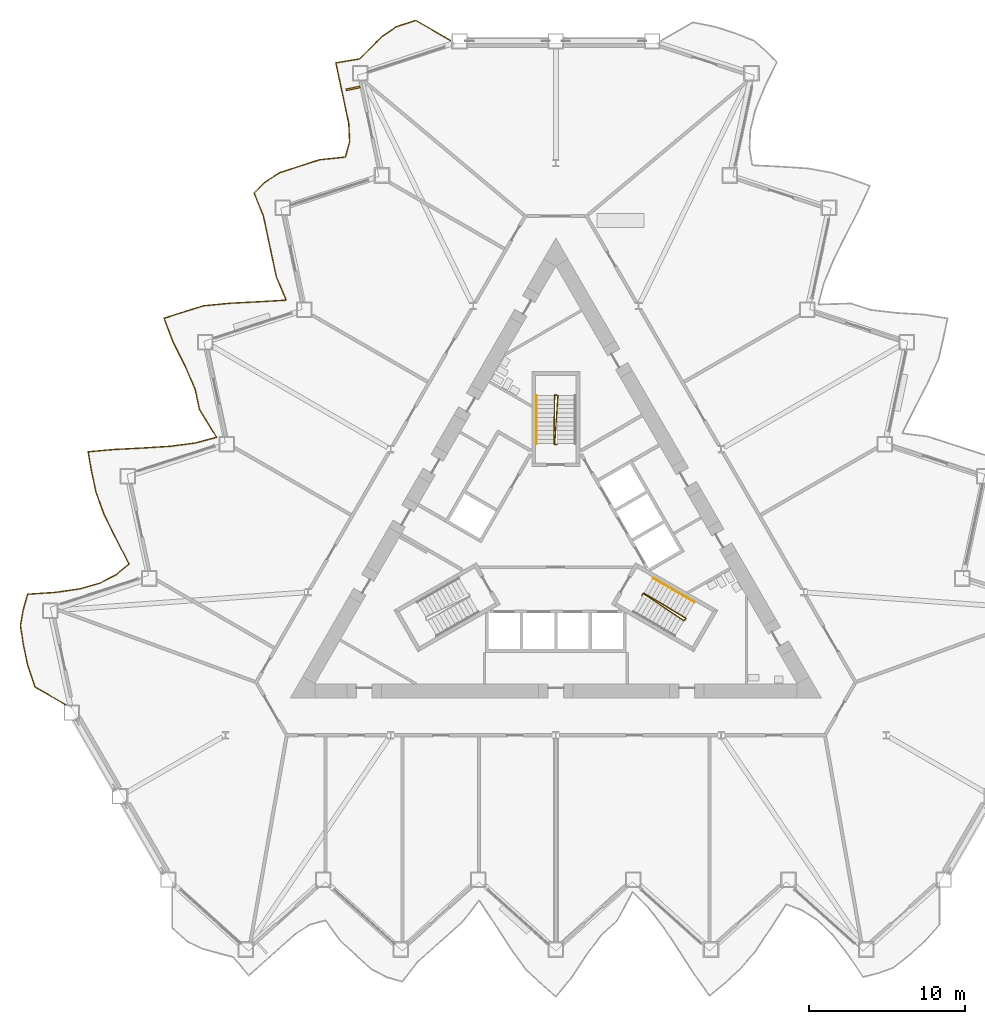
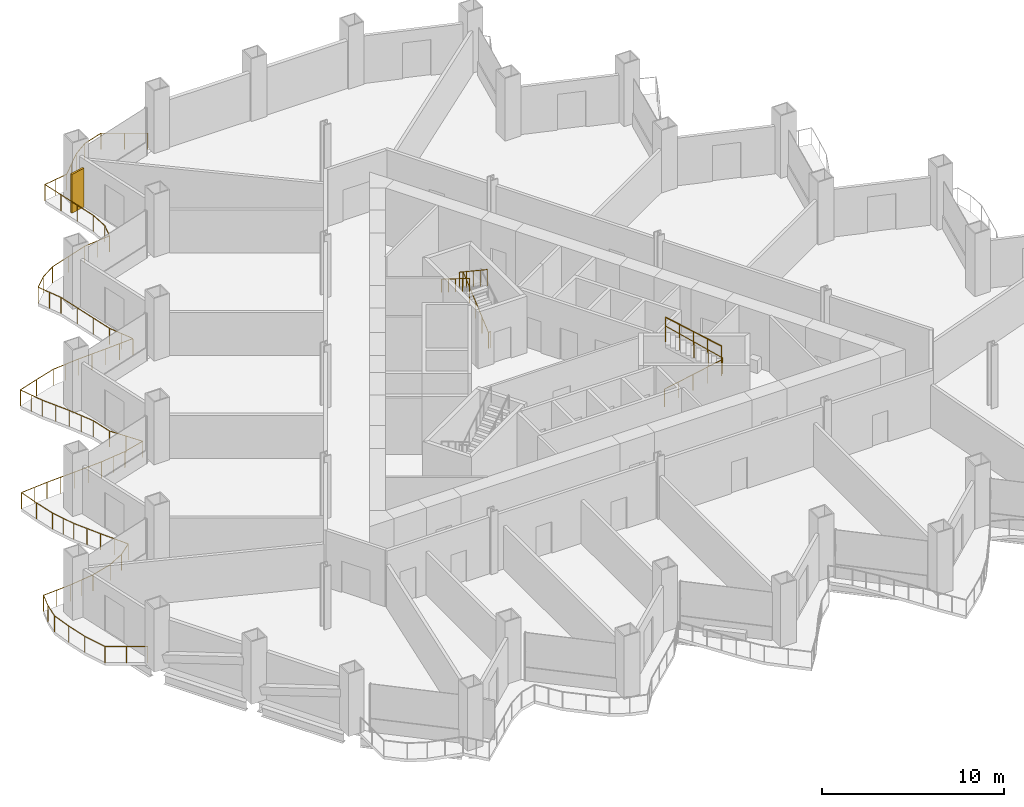
# One storey, part 18 of 21: 5 railings, 1 shading device.
"""IFC4 building model written with IfcOpenShell, lengths in metres."""

from ifc_helpers import new_model, si_unit, direction, frame, origin, origin_2d, place, context, subcontext, project, spatial, rectangle, circle, extrude, material, layer, layer_set, type_object, element, save


model = new_model("IFC4")

# Units and contexts
model_context = context("Model", 3, precision=1e-05, world=origin(), true_north=direction((0.0, 1.0)))
body_context = subcontext(model_context, "Body", "Model", "MODEL_VIEW")
ifc_project = project(units=[si_unit("LENGTHUNIT", "METRE"), si_unit("AREAUNIT", "SQUARE_METRE"), si_unit("VOLUMEUNIT", "CUBIC_METRE"), si_unit("PLANEANGLEUNIT", "RADIAN"), si_unit("MASSUNIT", "GRAM", prefix="KILO")], contexts=[model_context])

# Site, building, storey
site_placement = place(None, origin())
site = spatial("IfcSite", under=ifc_project, at=site_placement, CompositionType="ELEMENT")
building_placement = place(site_placement, origin())
building = spatial("IfcBuilding", under=site, at=building_placement, Name="Cormorant Prow Tower", CompositionType="ELEMENT")
storey_placement = place(building_placement, frame((0.0, 0.0, 67.800048828125)))
storey = spatial("IfcBuildingStorey", under=building, at=storey_placement, Name="L14", CompositionType="ELEMENT", Elevation=67.800048828125)

# Railings
ifc_material_1 = material(Name="Aluminium 6063-T6", Category="aluminium")
railing_type_1 = type_object("IfcRailingType", Name="Balcony guard 1100", PredefinedType="GUARDRAIL", material=ifc_material_1)
railing_1_placement = place(storey_placement, frame((-6.743896484375, 32.281982421875, 0.0)))
element("IfcRailing", 1, at=railing_1_placement, inside=storey, type_object=railing_type_1, Name="Balcony guard WNW", PredefinedType="GUARDRAIL", context=body_context, shape_type="SweptSolid", body=[
    extrude(circle(Radius=0.02392578125, at=origin_2d()), frame((0.0, 0.0, 1.076171875), z_axis=(-0.86598941085, 0.50006233641, 0.0), x_axis=(-0.50006233641, -0.86598941085, 0.0)), (0.0, 0.0, 1.0), 2.570068359375),
    extrude(circle(Radius=0.02392578125, at=origin_2d()), frame((-2.2255859375, 1.28515625, 1.076171875), z_axis=(-0.951072017002, -0.308969284034, 0.0), x_axis=(0.308969284034, -0.951072017002, 0.0)), (0.0, 0.0, 1.0), 1.323486328125),
    extrude(circle(Radius=0.02392578125, at=origin_2d()), frame((-3.484375, 0.876220703125, 1.076171875), z_axis=(-0.824035385261, -0.566538333952, 0.0), x_axis=(0.566538333952, -0.824035385261, 0.0)), (0.0, 0.0, 1.0), 1.08935546875),
    extrude(circle(Radius=0.02392578125, at=origin_2d()), frame((-4.382080078125, 0.259033203125, 1.076171875), z_axis=(-0.709260026546, -0.704946958817, 0.0), x_axis=(0.704946958817, -0.709260026546, 0.0)), (0.0, 0.0, 1.0), 1.018798828125),
    extrude(circle(Radius=0.02392578125, at=origin_2d()), frame((-5.104736328125, -0.459228515625, 1.076171875), z_axis=(-0.706746960996, -0.707466418371, 0.0), x_axis=(0.707466418371, -0.706746960996, 0.0)), (0.0, 0.0, 1.0), 1.01806640625),
    extrude(circle(Radius=0.02392578125, at=origin_2d()), frame((-5.82421875, -1.179443359375, 1.076171875), z_axis=(-0.986295604525, -0.16498781923, 0.0), x_axis=(0.16498781923, -0.986295604525, 0.0)), (0.0, 0.0, 1.0), 1.54638671875),
    extrude(circle(Radius=0.02392578125, at=origin_2d()), frame((-7.349365234375, -1.4345703125, 1.076171875), z_axis=(0.207916123024, -0.978146658629, 0.0), x_axis=(0.978146658629, 0.207916123024, 0.0)), (0.0, 0.0, 1.0), 1.3232421875),
    extrude(circle(Radius=0.02392578125, at=origin_2d()), frame((-7.07421875, -2.72900390625, 1.076171875), z_axis=(0.207953649087, -0.978138681288, 0.0), x_axis=(0.978138681288, 0.207953649087, 0.0)), (0.0, 0.0, 1.0), 1.322998046875),
    extrude(circle(Radius=0.02392578125, at=origin_2d()), frame((-6.799072265625, -4.023193359375, 1.076171875), z_axis=(0.207916123024, -0.978146658629, 0.0), x_axis=(0.978146658629, 0.207916123024, 0.0)), (0.0, 0.0, 1.0), 1.3232421875),
    extrude(circle(Radius=0.02392578125, at=origin_2d()), frame((-6.52392578125, -5.317626953125, 1.076171875), z_axis=(0.045995638535, -0.998941640556, 0.0), x_axis=(0.998941640556, 0.045995638535, 0.0)), (0.0, 0.0, 1.0), 1.167724609375),
    extrude(circle(Radius=0.02392578125, at=origin_2d()), frame((-6.47021484375, -6.484130859375, 1.076171875), z_axis=(-0.262589307442, -0.964907692796, 0.0), x_axis=(0.964907692796, -0.262589307442, 0.0)), (0.0, 0.0, 1.0), 1.01708984375),
    extrude(circle(Radius=0.02392578125, at=origin_2d()), frame((-6.7373046875, -7.465576171875, 1.076171875), z_axis=(-0.994527816492, -0.104472112178, 0.0), x_axis=(0.104472112178, -0.994527816492, 0.0)), (0.0, 0.0, 1.0), 1.67333984375),
    extrude(circle(Radius=0.02392578125, at=origin_2d()), frame((-8.4013671875, -7.640380859375, 1.076171875), z_axis=(-0.951054403512, -0.309023496777, 0.0), x_axis=(0.309023496777, -0.951054403512, 0.0)), (0.0, 0.0, 1.0), 1.3232421875),
    extrude(circle(Radius=0.02392578125, at=origin_2d()), frame((-9.659912109375, -8.04931640625, 1.076171875), z_axis=(-0.951054403512, -0.309023496777, 0.0), x_axis=(0.309023496777, -0.951054403512, 0.0)), (0.0, 0.0, 1.0), 1.3232421875),
    extrude(circle(Radius=0.02392578125, at=origin_2d()), frame((-10.91845703125, -8.458251953125, 1.076171875), z_axis=(-0.846452772035, -0.532463806014, 0.0), x_axis=(0.532463806014, -0.846452772035, 0.0)), (0.0, 0.0, 1.0), 1.11181640625),
    extrude(circle(Radius=0.02392578125, at=origin_2d()), frame((-11.859619140625, -9.05029296875, 1.076171875), z_axis=(-0.715187202401, -0.698932947801, 0.0), x_axis=(0.698932947801, -0.715187202401, 0.0)), (0.0, 0.0, 1.0), 1.021484375),
    extrude(circle(Radius=0.02392578125, at=origin_2d()), frame((-12.590087890625, -9.76416015625, 1.076171875), z_axis=(0.374839476918, -0.9270897295, 0.0), x_axis=(0.9270897295, 0.374839476918, 0.0)), (0.0, 0.0, 1.0), 1.59765625),
    extrude(circle(Radius=0.02392578125, at=origin_2d()), frame((-11.9912109375, -11.245361328125, 1.076171875), z_axis=(0.207916123024, -0.978146658629, 0.0), x_axis=(0.978146658629, 0.207916123024, 0.0)), (0.0, 0.0, 1.0), 1.3232421875),
    extrude(circle(Radius=0.02392578125, at=origin_2d()), frame((-11.716064453125, -12.539794921875, 1.076171875), z_axis=(0.207916123024, -0.978146658629, 0.0), x_axis=(0.978146658629, 0.207916123024, 0.0)), (0.0, 0.0, 1.0), 1.3232421875),
    extrude(circle(Radius=0.02392578125, at=origin_2d()), frame((-11.44091796875, -13.834228515625, 1.076171875), z_axis=(0.207916123024, -0.978146658629, 0.0), x_axis=(0.978146658629, 0.207916123024, 0.0)), (0.0, 0.0, 1.0), 1.3232421875),
    extrude(circle(Radius=0.02392578125, at=origin_2d()), frame((-11.165771484375, -15.128662109375, 1.076171875), z_axis=(0.386854438538, -0.922140793688, 0.0), x_axis=(0.922140793688, 0.386854438538, 0.0)), (0.0, 0.0, 1.0), 1.625),
    extrude(circle(Radius=0.02392578125, at=origin_2d()), frame((-10.537109375, -16.627197265625, 1.076171875), z_axis=(-0.998221644478, -0.059611647308, 0.0), x_axis=(0.059611647308, -0.998221644478, 0.0)), (0.0, 0.0, 1.0), 1.78564453125),
    extrude(circle(Radius=0.02392578125, at=origin_2d()), frame((-12.319580078125, -16.733642578125, 1.076171875), z_axis=(-0.998683055757, -0.051304523616, 0.0), x_axis=(0.051304523616, -0.998683055757, 0.0)), (0.0, 0.0, 1.0), 1.808349609375),
    extrude(circle(Radius=0.02392578125, at=origin_2d()), frame((-14.12548828125, -16.826416015625, 1.076171875), z_axis=(-0.995378066941, -0.096033868258, 0.0), x_axis=(0.096033868258, -0.995378066941, 0.0)), (0.0, 0.0, 1.0), 1.693115234375),
    extrude(circle(Radius=0.02392578125, at=origin_2d()), frame((-15.810791015625, -16.989013671875, 1.076171875), z_axis=(-0.955790803471, -0.294047513168, 0.0), x_axis=(0.294047513168, -0.955790803471, 0.0)), (0.0, 0.0, 1.0), 1.342529296875),
    extrude(circle(Radius=0.02392578125, at=origin_2d()), frame((-17.093994140625, -17.3837890625, 1.076171875), z_axis=(-0.951108613714, -0.308856608993, 0.0), x_axis=(0.308856608993, -0.951108613714, 0.0)), (0.0, 0.0, 1.0), 1.3232421875),
    extrude(circle(Radius=0.02392578125, at=origin_2d()), frame((-18.3525390625, -17.79248046875, 1.076171875), z_axis=(0.354100081093, -0.935207534492, 0.0), x_axis=(0.935207534492, 0.354100081093, 0.0)), (0.0, 0.0, 1.0), 1.553955078125),
    extrude(circle(Radius=0.02392578125, at=origin_2d()), frame((-17.80224609375, -19.245849609375, 1.076171875), z_axis=(0.446007023585, -0.89502946036, 0.0), x_axis=(0.89502946036, 0.446007023585, 0.0)), (0.0, 0.0, 1.0), 1.78125),
    extrude(circle(Radius=0.02392578125, at=origin_2d()), frame((-17.0078125, -20.840087890625, 1.076171875), z_axis=(0.395173075821, -0.91860668414, 0.0), x_axis=(0.91860668414, 0.395173075821, 0.0)), (0.0, 0.0, 1.0), 1.64453125),
    extrude(circle(Radius=0.02392578125, at=origin_2d()), frame((-16.35791015625, -22.350830078125, 1.076171875), z_axis=(0.207953649087, -0.978138681288, 0.0), x_axis=(0.978138681288, 0.207953649087, 0.0)), (0.0, 0.0, 1.0), 1.322998046875),
    extrude(circle(Radius=0.02392578125, at=origin_2d()), frame((-16.082763671875, -23.64501953125, 1.076171875), z_axis=(0.525527953778, -0.850776333591, 0.0), x_axis=(0.850776333591, 0.525527953778, 0.0)), (0.0, 0.0, 1.0), 2.07470703125),
    extrude(circle(Radius=0.02392578125, at=origin_2d()), frame((-14.992431640625, -25.41015625, 1.076171875), z_axis=(-0.964974933901, -0.262342099065, 0.0), x_axis=(0.262342099065, -0.964974933901, 0.0)), (0.0, 0.0, 1.0), 1.3857421875),
    extrude(circle(Radius=0.02392578125, at=origin_2d()), frame((-16.32958984375, -25.773681640625, 1.076171875), z_axis=(-0.991363444038, -0.131143134877, 0.0), x_axis=(0.131143134877, -0.991363444038, 0.0)), (0.0, 0.0, 1.0), 1.614013671875),
    extrude(circle(Radius=0.02392578125, at=origin_2d()), frame((-17.9296875, -25.9853515625, 1.076171875), z_axis=(-0.99801766977, -0.06293433743, 0.0), x_axis=(0.06293433743, -0.99801766977, 0.0)), (0.0, 0.0, 1.0), 1.776611328125),
    extrude(circle(Radius=0.02392578125, at=origin_2d()), frame((-19.702880859375, -26.09716796875, 1.076171875), z_axis=(-0.998750322432, -0.049977929542, 0.0), x_axis=(0.049977929542, -0.998750322432, 0.0)), (0.0, 0.0, 1.0), 1.812255859375),
    extrude(circle(Radius=0.02392578125, at=origin_2d()), frame((-21.512939453125, -26.187744140625, 1.076171875), z_axis=(-0.995964353039, -0.089749693458, 0.0), x_axis=(0.089749693458, -0.995964353039, 0.0)), (0.0, 0.0, 1.0), 1.708251953125),
    extrude(circle(Radius=0.02392578125, at=origin_2d()), frame((-23.21435546875, -26.341064453125, 1.076171875), z_axis=(0.1716547306, -0.985157171959, 0.0), x_axis=(0.985157171959, 0.1716547306, 0.0)), (0.0, 0.0, 1.0), 1.281494140625),
    extrude(circle(Radius=0.02392578125, at=origin_2d()), frame((-22.994384765625, -27.603515625, 1.076171875), z_axis=(0.207916123024, -0.978146658629, 0.0), x_axis=(0.978146658629, 0.207916123024, 0.0)), (0.0, 0.0, 1.0), 1.3232421875),
    extrude(circle(Radius=0.02392578125, at=origin_2d()), frame((-22.71923828125, -28.89794921875, 1.076171875), z_axis=(0.335704546621, -0.941967333498, 0.0), x_axis=(0.941967333498, 0.335704546621, 0.0)), (0.0, 0.0, 1.0), 1.517822265625),
    extrude(circle(Radius=0.02392578125, at=origin_2d()), frame((-22.209716796875, -30.32763671875, 1.076171875), z_axis=(0.442798094343, -0.896621351322, 0.0), x_axis=(0.896621351322, 0.442798094343, 0.0)), (0.0, 0.0, 1.0), 1.771484375),
    extrude(circle(Radius=0.02392578125, at=origin_2d()), frame((-21.42529296875, -31.916015625, 1.076171875), z_axis=(0.456557099974, -0.889694112863, 0.0), x_axis=(0.889694112863, 0.456557099974, 0.0)), (0.0, 0.0, 1.0), 1.81396484375),
    extrude(circle(Radius=0.02392578125, at=origin_2d()), frame((-20.59716796875, -33.52978515625, 1.076171875), z_axis=(-0.770011758677, -0.638029694841, 0.0), x_axis=(0.638029694841, -0.770011758677, 0.0)), (0.0, 0.0, 1.0), 1.048828125),
    extrude(circle(Radius=0.02392578125, at=origin_2d()), frame((-21.40478515625, -34.198974609375, 1.076171875), z_axis=(-0.884954654148, -0.465677205908, 0.0), x_axis=(0.465677205908, -0.884954654148, 0.0)), (0.0, 0.0, 1.0), 1.162841796875),
    extrude(circle(Radius=0.02392578125, at=origin_2d()), frame((-22.433837890625, -34.740478515625, 1.076171875), z_axis=(-0.960777764863, -0.277319466581, 0.0), x_axis=(0.277319466581, -0.960777764863, 0.0)), (0.0, 0.0, 1.0), 1.364501953125),
    extrude(circle(Radius=0.02392578125, at=origin_2d()), frame((-23.744873046875, -35.118896484375, 1.076171875), z_axis=(-0.99009593478, -0.140392449697, 0.0), x_axis=(0.140392449697, -0.99009593478, 0.0)), (0.0, 0.0, 1.0), 1.5947265625),
    extrude(circle(Radius=0.02392578125, at=origin_2d()), frame((-25.32373046875, -35.3427734375, 1.076171875), z_axis=(-0.997760012921, -0.066895116533, 0.0), x_axis=(0.066895116533, -0.997760012921, 0.0)), (0.0, 0.0, 1.0), 1.766357421875),
    extrude(circle(Radius=0.02392578125, at=origin_2d()), frame((-27.086181640625, -35.4609375, 1.076171875), z_axis=(-0.275548143323, -0.961287272729, 0.0), x_axis=(0.961287272729, -0.275548143323, 0.0)), (0.0, 0.0, 1.0), 1.013671875),
    extrude(circle(Radius=0.02392578125, at=origin_2d()), frame((-27.365478515625, -36.435302734375, 1.076171875), z_axis=(-0.175289754065, -0.984516887676, 0.0), x_axis=(0.984516887676, -0.175289754065, 0.0)), (0.0, 0.0, 1.0), 1.0458984375),
    extrude(circle(Radius=0.02392578125, at=origin_2d()), frame((-27.548828125, -37.465087890625, 1.076171875), z_axis=(0.14927059664, -0.988796383983, 0.0), x_axis=(0.988796383983, 0.14927059664, 0.0)), (0.0, 0.0, 1.0), 1.2578125),
    extrude(circle(Radius=0.02392578125, at=origin_2d()), frame((-27.361083984375, -38.708740234375, 1.076171875), z_axis=(0.207916123024, -0.978146658629, 0.0), x_axis=(0.978146658629, 0.207916123024, 0.0)), (0.0, 0.0, 1.0), 1.3232421875),
    extrude(circle(Radius=0.02392578125, at=origin_2d()), frame((-27.0859375, -40.003173828125, 1.076171875), z_axis=(0.316968249685, -0.94843614898, 0.0), x_axis=(0.94843614898, 0.316968249685, 0.0)), (0.0, 0.0, 1.0), 1.4833984375),
    extrude(circle(Radius=0.02392578125, at=origin_2d()), frame((-26.61572265625, -41.41015625, 1.076171875), z_axis=(0.866017386532, -0.500013886032, 0.0), x_axis=(0.500013886032, 0.866017386532, 0.0)), (0.0, 0.0, 1.0), 2.3447265625),
    extrude(circle(Radius=0.02099609375, at=origin_2d()), origin(), (0.0, 0.0, 1.0), 1.052001953125),
    extrude(circle(Radius=0.02099609375, at=origin_2d()), frame((-1.11279296875, 0.642578125, 0.0)), (0.0, 0.0, 1.0), 1.052001953125),
    extrude(circle(Radius=0.02099609375, at=origin_2d()), frame((-2.2255859375, 1.28515625, 0.0)), (0.0, 0.0, 1.0), 1.052001953125),
    extrude(circle(Radius=0.02099609375, at=origin_2d()), frame((-3.484375, 0.876220703125, 0.0)), (0.0, 0.0, 1.0), 1.052001953125),
    extrude(circle(Radius=0.02099609375, at=origin_2d()), frame((-4.382080078125, 0.259033203125, 0.0)), (0.0, 0.0, 1.0), 1.052001953125),
    extrude(circle(Radius=0.02099609375, at=origin_2d()), frame((-5.104736328125, -0.459228515625, 0.0)), (0.0, 0.0, 1.0), 1.052001953125),
    extrude(circle(Radius=0.02099609375, at=origin_2d()), frame((-5.82421875, -1.179443359375, 0.0)), (0.0, 0.0, 1.0), 1.052001953125),
    extrude(circle(Radius=0.02099609375, at=origin_2d()), frame((-6.5869140625, -1.30712890625, 0.0)), (0.0, 0.0, 1.0), 1.052001953125),
    extrude(circle(Radius=0.02099609375, at=origin_2d()), frame((-7.349365234375, -1.4345703125, 0.0)), (0.0, 0.0, 1.0), 1.052001953125),
    extrude(circle(Radius=0.02099609375, at=origin_2d()), frame((-7.07421875, -2.72900390625, 0.0)), (0.0, 0.0, 1.0), 1.052001953125),
    extrude(circle(Radius=0.02099609375, at=origin_2d()), frame((-6.799072265625, -4.023193359375, 0.0)), (0.0, 0.0, 1.0), 1.052001953125),
    extrude(circle(Radius=0.02099609375, at=origin_2d()), frame((-6.52392578125, -5.317626953125, 0.0)), (0.0, 0.0, 1.0), 1.052001953125),
    extrude(circle(Radius=0.02099609375, at=origin_2d()), frame((-6.47021484375, -6.484130859375, 0.0)), (0.0, 0.0, 1.0), 1.052001953125),
    extrude(circle(Radius=0.02099609375, at=origin_2d()), frame((-6.7373046875, -7.465576171875, 0.0)), (0.0, 0.0, 1.0), 1.052001953125),
    extrude(circle(Radius=0.02099609375, at=origin_2d()), frame((-7.5693359375, -7.552978515625, 0.0)), (0.0, 0.0, 1.0), 1.052001953125),
    extrude(circle(Radius=0.02099609375, at=origin_2d()), frame((-8.4013671875, -7.640380859375, 0.0)), (0.0, 0.0, 1.0), 1.052001953125),
    extrude(circle(Radius=0.02099609375, at=origin_2d()), frame((-9.659912109375, -8.04931640625, 0.0)), (0.0, 0.0, 1.0), 1.052001953125),
    extrude(circle(Radius=0.02099609375, at=origin_2d()), frame((-10.91845703125, -8.458251953125, 0.0)), (0.0, 0.0, 1.0), 1.052001953125),
    extrude(circle(Radius=0.02099609375, at=origin_2d()), frame((-11.859619140625, -9.05029296875, 0.0)), (0.0, 0.0, 1.0), 1.052001953125),
    extrude(circle(Radius=0.02099609375, at=origin_2d()), frame((-12.590087890625, -9.76416015625, 0.0)), (0.0, 0.0, 1.0), 1.052001953125),
    extrude(circle(Radius=0.02099609375, at=origin_2d()), frame((-12.29052734375, -10.5048828125, 0.0)), (0.0, 0.0, 1.0), 1.052001953125),
    extrude(circle(Radius=0.02099609375, at=origin_2d()), frame((-11.9912109375, -11.245361328125, 0.0)), (0.0, 0.0, 1.0), 1.052001953125),
    extrude(circle(Radius=0.02099609375, at=origin_2d()), frame((-11.716064453125, -12.539794921875, 0.0)), (0.0, 0.0, 1.0), 1.052001953125),
    extrude(circle(Radius=0.02099609375, at=origin_2d()), frame((-11.44091796875, -13.834228515625, 0.0)), (0.0, 0.0, 1.0), 1.052001953125),
    extrude(circle(Radius=0.02099609375, at=origin_2d()), frame((-11.165771484375, -15.128662109375, 0.0)), (0.0, 0.0, 1.0), 1.052001953125),
    extrude(circle(Radius=0.02099609375, at=origin_2d()), frame((-10.8515625, -15.8779296875, 0.0)), (0.0, 0.0, 1.0), 1.052001953125),
    extrude(circle(Radius=0.02099609375, at=origin_2d()), frame((-10.537109375, -16.627197265625, 0.0)), (0.0, 0.0, 1.0), 1.052001953125),
    extrude(circle(Radius=0.02099609375, at=origin_2d()), frame((-11.42822265625, -16.680419921875, 0.0)), (0.0, 0.0, 1.0), 1.052001953125),
    extrude(circle(Radius=0.02099609375, at=origin_2d()), frame((-12.319580078125, -16.733642578125, 0.0)), (0.0, 0.0, 1.0), 1.052001953125),
    extrude(circle(Radius=0.02099609375, at=origin_2d()), frame((-13.22265625, -16.780029296875, 0.0)), (0.0, 0.0, 1.0), 1.052001953125),
    extrude(circle(Radius=0.02099609375, at=origin_2d()), frame((-14.12548828125, -16.826416015625, 0.0)), (0.0, 0.0, 1.0), 1.052001953125),
    extrude(circle(Radius=0.02099609375, at=origin_2d()), frame((-14.96826171875, -16.90771484375, 0.0)), (0.0, 0.0, 1.0), 1.052001953125),
    extrude(circle(Radius=0.02099609375, at=origin_2d()), frame((-15.810791015625, -16.989013671875, 0.0)), (0.0, 0.0, 1.0), 1.052001953125),
    extrude(circle(Radius=0.02099609375, at=origin_2d()), frame((-17.093994140625, -17.3837890625, 0.0)), (0.0, 0.0, 1.0), 1.052001953125),
    extrude(circle(Radius=0.02099609375, at=origin_2d()), frame((-18.3525390625, -17.79248046875, 0.0)), (0.0, 0.0, 1.0), 1.052001953125),
    extrude(circle(Radius=0.02099609375, at=origin_2d()), frame((-18.077392578125, -18.51904296875, 0.0)), (0.0, 0.0, 1.0), 1.052001953125),
    extrude(circle(Radius=0.02099609375, at=origin_2d()), frame((-17.80224609375, -19.245849609375, 0.0)), (0.0, 0.0, 1.0), 1.052001953125),
    extrude(circle(Radius=0.02099609375, at=origin_2d()), frame((-17.405029296875, -20.04296875, 0.0)), (0.0, 0.0, 1.0), 1.052001953125),
    extrude(circle(Radius=0.02099609375, at=origin_2d()), frame((-17.0078125, -20.840087890625, 0.0)), (0.0, 0.0, 1.0), 1.052001953125),
    extrude(circle(Radius=0.02099609375, at=origin_2d()), frame((-16.682861328125, -21.595458984375, 0.0)), (0.0, 0.0, 1.0), 1.052001953125),
    extrude(circle(Radius=0.02099609375, at=origin_2d()), frame((-16.35791015625, -22.350830078125, 0.0)), (0.0, 0.0, 1.0), 1.052001953125),
    extrude(circle(Radius=0.02099609375, at=origin_2d()), frame((-16.082763671875, -23.64501953125, 0.0)), (0.0, 0.0, 1.0), 1.052001953125),
    extrude(circle(Radius=0.02099609375, at=origin_2d()), frame((-15.53759765625, -24.527587890625, 0.0)), (0.0, 0.0, 1.0), 1.052001953125),
    extrude(circle(Radius=0.02099609375, at=origin_2d()), frame((-14.992431640625, -25.41015625, 0.0)), (0.0, 0.0, 1.0), 1.052001953125),
    extrude(circle(Radius=0.02099609375, at=origin_2d()), frame((-16.32958984375, -25.773681640625, 0.0)), (0.0, 0.0, 1.0), 1.052001953125),
    extrude(circle(Radius=0.02099609375, at=origin_2d()), frame((-17.129638671875, -25.87939453125, 0.0)), (0.0, 0.0, 1.0), 1.052001953125),
    extrude(circle(Radius=0.02099609375, at=origin_2d()), frame((-17.9296875, -25.9853515625, 0.0)), (0.0, 0.0, 1.0), 1.052001953125),
    extrude(circle(Radius=0.02099609375, at=origin_2d()), frame((-18.81640625, -26.041259765625, 0.0)), (0.0, 0.0, 1.0), 1.052001953125),
    extrude(circle(Radius=0.02099609375, at=origin_2d()), frame((-19.702880859375, -26.09716796875, 0.0)), (0.0, 0.0, 1.0), 1.052001953125),
    extrude(circle(Radius=0.02099609375, at=origin_2d()), frame((-20.60791015625, -26.142578125, 0.0)), (0.0, 0.0, 1.0), 1.052001953125),
    extrude(circle(Radius=0.02099609375, at=origin_2d()), frame((-21.512939453125, -26.187744140625, 0.0)), (0.0, 0.0, 1.0), 1.052001953125),
    extrude(circle(Radius=0.02099609375, at=origin_2d()), frame((-22.36376953125, -26.264404296875, 0.0)), (0.0, 0.0, 1.0), 1.052001953125),
    extrude(circle(Radius=0.02099609375, at=origin_2d()), frame((-23.21435546875, -26.341064453125, 0.0)), (0.0, 0.0, 1.0), 1.052001953125),
    extrude(circle(Radius=0.02099609375, at=origin_2d()), frame((-22.994384765625, -27.603515625, 0.0)), (0.0, 0.0, 1.0), 1.052001953125),
    extrude(circle(Radius=0.02099609375, at=origin_2d()), frame((-22.71923828125, -28.89794921875, 0.0)), (0.0, 0.0, 1.0), 1.052001953125),
    extrude(circle(Radius=0.02099609375, at=origin_2d()), frame((-22.46435546875, -29.61279296875, 0.0)), (0.0, 0.0, 1.0), 1.052001953125),
    extrude(circle(Radius=0.02099609375, at=origin_2d()), frame((-22.209716796875, -30.32763671875, 0.0)), (0.0, 0.0, 1.0), 1.052001953125),
    extrude(circle(Radius=0.02099609375, at=origin_2d()), frame((-21.8173828125, -31.121826171875, 0.0)), (0.0, 0.0, 1.0), 1.052001953125),
    extrude(circle(Radius=0.02099609375, at=origin_2d()), frame((-21.42529296875, -31.916015625, 0.0)), (0.0, 0.0, 1.0), 1.052001953125),
    extrude(circle(Radius=0.02099609375, at=origin_2d()), frame((-21.01123046875, -32.722900390625, 0.0)), (0.0, 0.0, 1.0), 1.052001953125),
    extrude(circle(Radius=0.02099609375, at=origin_2d()), frame((-20.59716796875, -33.52978515625, 0.0)), (0.0, 0.0, 1.0), 1.052001953125),
    extrude(circle(Radius=0.02099609375, at=origin_2d()), frame((-21.40478515625, -34.198974609375, 0.0)), (0.0, 0.0, 1.0), 1.052001953125),
    extrude(circle(Radius=0.02099609375, at=origin_2d()), frame((-22.433837890625, -34.740478515625, 0.0)), (0.0, 0.0, 1.0), 1.052001953125),
    extrude(circle(Radius=0.02099609375, at=origin_2d()), frame((-23.744873046875, -35.118896484375, 0.0)), (0.0, 0.0, 1.0), 1.052001953125),
    extrude(circle(Radius=0.02099609375, at=origin_2d()), frame((-24.5341796875, -35.23095703125, 0.0)), (0.0, 0.0, 1.0), 1.052001953125),
    extrude(circle(Radius=0.02099609375, at=origin_2d()), frame((-25.32373046875, -35.3427734375, 0.0)), (0.0, 0.0, 1.0), 1.052001953125),
    extrude(circle(Radius=0.02099609375, at=origin_2d()), frame((-26.205078125, -35.40185546875, 0.0)), (0.0, 0.0, 1.0), 1.052001953125),
    extrude(circle(Radius=0.02099609375, at=origin_2d()), frame((-27.086181640625, -35.4609375, 0.0)), (0.0, 0.0, 1.0), 1.052001953125),
    extrude(circle(Radius=0.02099609375, at=origin_2d()), frame((-27.365478515625, -36.435302734375, 0.0)), (0.0, 0.0, 1.0), 1.052001953125),
    extrude(circle(Radius=0.02099609375, at=origin_2d()), frame((-27.548828125, -37.465087890625, 0.0)), (0.0, 0.0, 1.0), 1.052001953125),
    extrude(circle(Radius=0.02099609375, at=origin_2d()), frame((-27.361083984375, -38.708740234375, 0.0)), (0.0, 0.0, 1.0), 1.052001953125),
    extrude(circle(Radius=0.02099609375, at=origin_2d()), frame((-27.0859375, -40.003173828125, 0.0)), (0.0, 0.0, 1.0), 1.052001953125),
    extrude(circle(Radius=0.02099609375, at=origin_2d()), frame((-26.61572265625, -41.41015625, 0.0)), (0.0, 0.0, 1.0), 1.052001953125),
    extrude(circle(Radius=0.02099609375, at=origin_2d()), frame((-25.6005859375, -41.996337890625, 0.0)), (0.0, 0.0, 1.0), 1.052001953125),
    extrude(circle(Radius=0.02099609375, at=origin_2d()), frame((-24.585205078125, -42.58251953125, 0.0)), (0.0, 0.0, 1.0), 1.052001953125),
])
ifc_material_2 = material(Name="Stainless steel", Category="steel")
railing_type_2 = type_object("IfcRailingType", Name="Stair guard 1100", PredefinedType="GUARDRAIL", material=ifc_material_2)
railing_2_placement = place(storey_placement, frame((5.510009765625, -3.267822265625, 0.0)))
element("IfcRailing", 2, at=railing_2_placement, inside=storey, type_object=railing_type_2, Name="L14 ST2 stair guard 1", PredefinedType="GUARDRAIL", context=body_context, shape_type="SweptSolid", body=[
    extrude(circle(Radius=0.02392578125, at=origin_2d()), frame((0.0, 0.0, 1.076171875), z_axis=(0.501036270542, 0.865426285481, 0.0), x_axis=(-0.865426285481, 0.501036270542, 0.0)), (0.0, 0.0, 1.0), 0.150146484375),
    extrude(circle(Radius=0.02392578125, at=origin_2d()), frame((0.0751953125, 0.1298828125, 1.076171875), z_axis=(0.691655524431, -0.460543096787, 0.55633864824), x_axis=(0.554233058506, 0.832361530141, 0.0)), (0.0, 0.0, 1.0), 3.7744140625),
    extrude(circle(Radius=0.02392578125, at=origin_2d()), frame((2.685791015625, -1.6083984375, 3.17578125), z_axis=(0.695164929852, 0.718850276695, 0.0), x_axis=(-0.718850276695, 0.695164929852, 0.0)), (0.0, 0.0, 1.0), 0.2060546875),
    extrude(circle(Radius=0.02392578125, at=origin_2d()), frame((2.8291015625, -1.460205078125, 3.17578125), z_axis=(-0.712463317363, 0.426661970256, 0.557095669117), x_axis=(-0.513773053629, -0.857926132814, 0.0)), (0.0, 0.0, 1.0), 3.769775390625),
    extrude(circle(Radius=0.02099609375, at=origin_2d()), origin(), (0.0, 0.0, 1.0), 1.052001953125),
    extrude(circle(Radius=0.02099609375, at=origin_2d()), frame((0.0751953125, 0.1298828125, 0.0)), (0.0, 0.0, 1.0), 1.052001953125),
    extrude(circle(Radius=0.02099609375, at=origin_2d()), frame((0.727783203125, -0.3046875, 0.52490234375)), (0.0, 0.0, 1.0), 1.052001953125),
    extrude(circle(Radius=0.02099609375, at=origin_2d()), frame((1.38037109375, -0.7392578125, 1.0498046875)), (0.0, 0.0, 1.0), 1.052001953125),
    extrude(circle(Radius=0.02099609375, at=origin_2d()), frame((2.033203125, -1.173828125, 1.574951171875)), (0.0, 0.0, 1.0), 1.052001953125),
    extrude(circle(Radius=0.02099609375, at=origin_2d()), frame((2.685791015625, -1.6083984375, 2.099853515625)), (0.0, 0.0, 1.0), 1.052001953125),
    extrude(circle(Radius=0.02099609375, at=origin_2d()), frame((2.8291015625, -1.460205078125, 2.099853515625)), (0.0, 0.0, 1.0), 1.052001953125),
    extrude(circle(Radius=0.02099609375, at=origin_2d()), frame((2.15771484375, -1.05810546875, 2.625)), (0.0, 0.0, 1.0), 1.052001953125),
    extrude(circle(Radius=0.02099609375, at=origin_2d()), frame((1.486328125, -0.656005859375, 3.14990234375)), (0.0, 0.0, 1.0), 1.052001953125),
    extrude(circle(Radius=0.02099609375, at=origin_2d()), frame((0.814697265625, -0.25390625, 3.6748046875)), (0.0, 0.0, 1.0), 1.052001953125),
    extrude(circle(Radius=0.02099609375, at=origin_2d()), frame((0.143310546875, 0.148193359375, 4.199951171875)), (0.0, 0.0, 1.0), 1.052001953125),
])
railing_3_placement = place(storey_placement, frame((0.074951171875, 6.40576171875, 0.0)))
element("IfcRailing", 3, at=railing_3_placement, inside=storey, type_object=railing_type_2, Name="L14 ST3 stair guard 1", PredefinedType="GUARDRAIL", context=body_context, shape_type="SweptSolid", body=[
    extrude(circle(Radius=0.02392578125, at=origin_2d()), frame((0.0, 0.0, 1.076171875), z_axis=(-1.0, 0.0, 0.0), x_axis=(0.0, -1.0, 0.0)), (0.0, 0.0, 1.0), 0.14990234375),
    extrude(circle(Radius=0.02392578125, at=origin_2d()), frame((-0.14990234375, 0.0, 1.076171875), z_axis=(0.052973824345, 0.829276437025, 0.556322177276), x_axis=(-0.997965923181, 0.063749636618, 0.0)), (0.0, 0.0, 1.0), 3.7744140625),
    extrude(circle(Radius=0.02392578125, at=origin_2d()), frame((0.050048828125, 3.130126953125, 3.17578125), z_axis=(-0.970072785993, 0.242814311512, 0.0), x_axis=(-0.242814311512, -0.970072785993, 0.0)), (0.0, 0.0, 1.0), 0.2060546875),
    extrude(circle(Radius=0.02392578125, at=origin_2d()), frame((-0.14990234375, 3.18017578125, 3.17578125), z_axis=(-0.013276620939, -0.830339302729, 0.557099967403), x_axis=(0.999872194171, -0.015987348866, 0.0)), (0.0, 0.0, 1.0), 3.769775390625),
    extrude(circle(Radius=0.02099609375, at=origin_2d()), origin(), (0.0, 0.0, 1.0), 1.052001953125),
    extrude(circle(Radius=0.02099609375, at=origin_2d()), frame((-0.14990234375, 0.0, 0.0)), (0.0, 0.0, 1.0), 1.052001953125),
    extrude(circle(Radius=0.02099609375, at=origin_2d()), frame((-0.099853515625, 0.782470703125, 0.52490234375)), (0.0, 0.0, 1.0), 1.052001953125),
    extrude(circle(Radius=0.02099609375, at=origin_2d()), frame((-0.0498046875, 1.56494140625, 1.0498046875)), (0.0, 0.0, 1.0), 1.052001953125),
    extrude(circle(Radius=0.02099609375, at=origin_2d()), frame((0.0, 2.34765625, 1.574951171875)), (0.0, 0.0, 1.0), 1.052001953125),
    extrude(circle(Radius=0.02099609375, at=origin_2d()), frame((0.050048828125, 3.130126953125, 2.099853515625)), (0.0, 0.0, 1.0), 1.052001953125),
    extrude(circle(Radius=0.02099609375, at=origin_2d()), frame((-0.14990234375, 3.18017578125, 2.099853515625)), (0.0, 0.0, 1.0), 1.052001953125),
    extrude(circle(Radius=0.02099609375, at=origin_2d()), frame((-0.162353515625, 2.397705078125, 2.625)), (0.0, 0.0, 1.0), 1.052001953125),
    extrude(circle(Radius=0.02099609375, at=origin_2d()), frame((-0.1748046875, 1.615234375, 3.14990234375)), (0.0, 0.0, 1.0), 1.052001953125),
    extrude(circle(Radius=0.02099609375, at=origin_2d()), frame((-0.1875, 0.83251953125, 3.6748046875)), (0.0, 0.0, 1.0), 1.052001953125),
    extrude(circle(Radius=0.02099609375, at=origin_2d()), frame((-0.199951171875, 0.050048828125, 4.199951171875)), (0.0, 0.0, 1.0), 1.052001953125),
])
ifc_material_3 = material(Name="Stainless steel", Category="steel")
railing_type_3 = type_object("IfcRailingType", Name="Stair handrail 900", PredefinedType="HANDRAIL", material=ifc_material_3)
railing_4_placement = place(storey_placement, frame((8.88037109375, -3.690673828125, 2.27490234375)))
element("IfcRailing", 4, at=railing_4_placement, inside=storey, type_object=railing_type_3, Name="L14 ST2 stair handrail 2", PredefinedType="HANDRAIL", context=body_context, shape_type="SweptSolid", body=[
    extrude(circle(Radius=0.02392578125, at=origin_2d()), frame((0.0, 0.0, 0.8759765625), z_axis=(-0.734394994316, 0.423994474112, 0.52999309264), x_axis=(-0.499992328818, -0.866029832698, 0.0)), (0.0, 0.0, 1.0), 3.63232421875),
    extrude(circle(Radius=0.02099609375, at=origin_2d()), origin(), (0.0, 0.0, 1.0), 0.851806640625),
    extrude(circle(Radius=0.02099609375, at=origin_2d()), frame((-0.6669921875, 0.385009765625, 0.481201171875)), (0.0, 0.0, 1.0), 0.851806640625),
    extrude(circle(Radius=0.02099609375, at=origin_2d()), frame((-1.333740234375, 0.77001953125, 0.96240234375)), (0.0, 0.0, 1.0), 0.851806640625),
    extrude(circle(Radius=0.02099609375, at=origin_2d()), frame((-2.00048828125, 1.155029296875, 1.44384765625)), (0.0, 0.0, 1.0), 0.851806640625),
    extrude(circle(Radius=0.02099609375, at=origin_2d()), frame((-2.66748046875, 1.5400390625, 1.925048828125)), (0.0, 0.0, 1.0), 0.851806640625),
])
railing_5_placement = place(storey_placement, frame((-1.243896484375, 9.535888671875, 2.27490234375)))
element("IfcRailing", 5, at=railing_5_placement, inside=storey, type_object=railing_type_3, Name="L14 ST3 stair handrail 2", PredefinedType="HANDRAIL", context=body_context, shape_type="SweptSolid", body=[
    extrude(circle(Radius=0.02392578125, at=origin_2d()), frame((0.0, 0.0, 0.8759765625), z_axis=(0.0, -0.847998304005, 0.529998940003), x_axis=(1.0, 0.0, 0.0)), (0.0, 0.0, 1.0), 3.632080078125),
    extrude(circle(Radius=0.02099609375, at=origin_2d()), origin(), (0.0, 0.0, 1.0), 0.851806640625),
    extrude(circle(Radius=0.02099609375, at=origin_2d()), frame((0.0, -0.77001953125, 0.481201171875)), (0.0, 0.0, 1.0), 0.851806640625),
    extrude(circle(Radius=0.02099609375, at=origin_2d()), frame((0.0, -1.5400390625, 0.96240234375)), (0.0, 0.0, 1.0), 0.851806640625),
    extrude(circle(Radius=0.02099609375, at=origin_2d()), frame((0.0, -2.31005859375, 1.44384765625)), (0.0, 0.0, 1.0), 0.851806640625),
    extrude(circle(Radius=0.02099609375, at=origin_2d()), frame((0.0, -3.080078125, 1.925048828125)), (0.0, 0.0, 1.0), 0.851806640625),
])

# Shading device
ifc_material_4 = material(Name="Terracotta", Category="masonry")
ifc_layer = layer(ifc_material_4, 0.1201171875)
ifc_layer_set = layer_set([ifc_layer], Name="Terracotta")
shading_device_type = type_object("IfcShadingDeviceType", Name="Terracotta baguette fin 120x900x2600", PredefinedType="USERDEFINED", material=ifc_layer_set)
shading_device_placement = place(storey_placement, frame((-12.989013671875, 29.20751953125, 0.0), z_axis=(0.0, 0.0, 1.0), x_axis=(0.20791175581, -0.978147586919, 0.0)))
element("IfcShadingDevice", 6, at=shading_device_placement, inside=storey, type_object=shading_device_type, Name="Baguette fin WNW01", ObjectType="BAGUETTE", PredefinedType="USERDEFINED", context=body_context, shape_type="SweptSolid", body=[
    extrude(rectangle(XDim=0.1201171875, YDim=0.89990234375, at=origin_2d()), origin(), (0.0, 0.0, 1.0), 2.60009765625),
])

save(model, "model.ifc")
